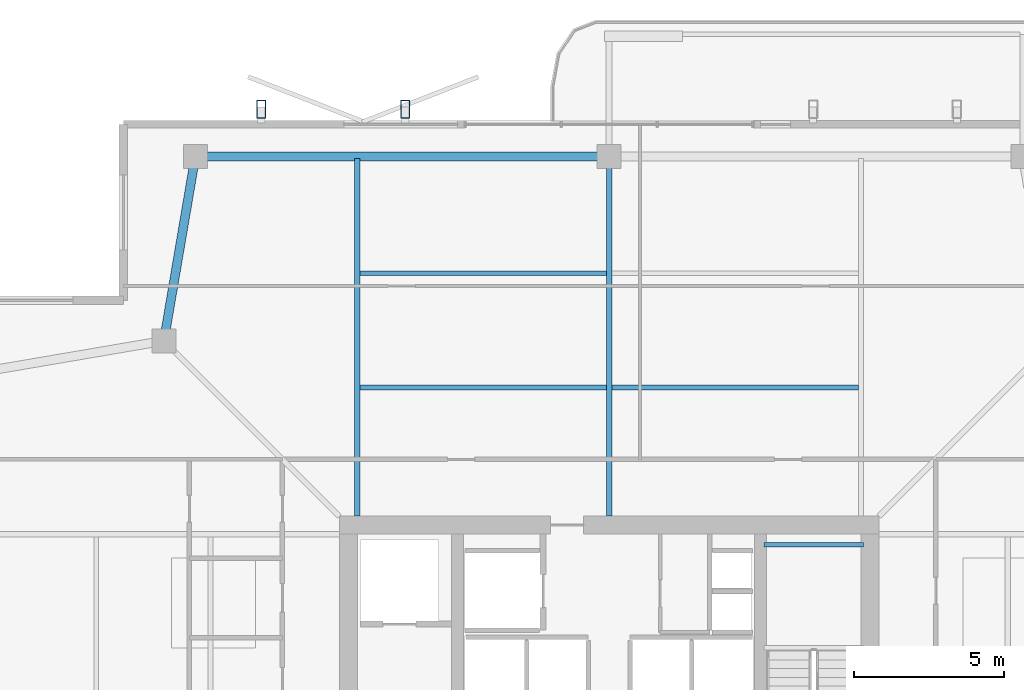
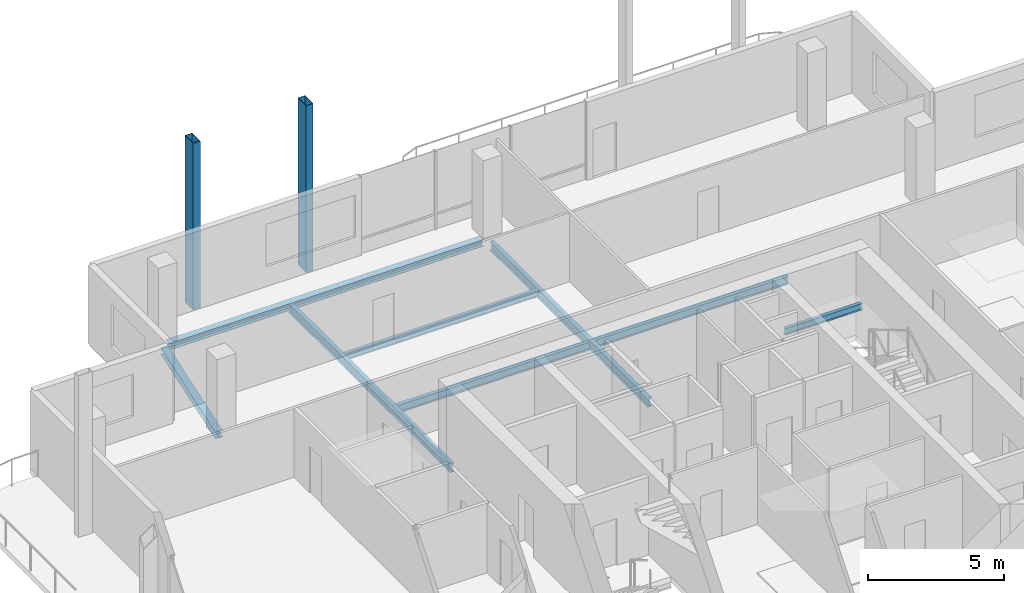
# One storey, part 12 of 22: 8 beams, 2 members.
"""IFC4 building model written with IfcOpenShell, lengths in metres."""

from ifc_helpers import new_model, si_unit, direction, frame, origin, origin_2d, place, context, subcontext, project, spatial, hollow_rectangle, i_section, extrude, material, material_profile, profile_set, type_object, element, save


model = new_model("IFC4")

# Units and contexts
model_context = context("Model", 3, precision=1e-05, world=origin(), true_north=direction((0.0, 1.0)))
body_context = subcontext(model_context, "Body", "Model", "MODEL_VIEW")
ifc_project = project(units=[si_unit("LENGTHUNIT", "METRE"), si_unit("AREAUNIT", "SQUARE_METRE"), si_unit("VOLUMEUNIT", "CUBIC_METRE"), si_unit("PLANEANGLEUNIT", "RADIAN"), si_unit("MASSUNIT", "GRAM", prefix="KILO")], contexts=[model_context])

# Site, building, storey
site_placement = place(None, origin())
site = spatial("IfcSite", under=ifc_project, at=site_placement, CompositionType="ELEMENT")
building_placement = place(site_placement, origin())
building = spatial("IfcBuilding", under=site, at=building_placement, Name="Belovzor Exchange Tower", CompositionType="ELEMENT")
storey_placement = place(building_placement, frame((0.0, 0.0, 336.75)))
storey = spatial("IfcBuildingStorey", under=building, at=storey_placement, Name="L84", CompositionType="ELEMENT", Elevation=336.75)

# Beams
ifc_material_1 = material(Name="Steel S355", Category="steel")
ifc_material_profile_1 = material_profile(ifc_material_1, i_section(OverallWidth=0.169921875, OverallDepth=0.360107421875, WebThickness=0.008056640625, FlangeThickness=0.0126953125, at=origin_2d()))
ifc_profile_set_1 = profile_set([ifc_material_profile_1], Name="Steel S355")
beam_type_1 = type_object("IfcBeamType", Name="Secondary Infill Floor Joist IPE 360", PredefinedType="BEAM", material=ifc_profile_set_1)
beam_1_placement = place(storey_placement, frame((20.489990234375, 42.093017578125, -0.419921875), z_axis=(1.0, 0.0, 0.0), x_axis=(0.0, 1.0, 0.0)))
element("IfcBeam", 1, at=beam_1_placement, inside=storey, type_object=beam_type_1, Name="FJ-360 Secondary Infill Floor Joist IPE 360", PredefinedType="BEAM", context=body_context, shape_type="SweptSolid", body=[
    extrude(i_section(OverallWidth=0.169921875, OverallDepth=0.360107421875, WebThickness=0.008056640625, FlangeThickness=0.0126953125, at=origin_2d()), origin(), (0.0, 0.0, 1.0), 8.219970703125),
])
beam_2_placement = place(storey_placement, frame((28.889892578125, 42.093017578125, -0.419921875), z_axis=(1.0, 0.0, 0.0), x_axis=(0.0, 1.0, 0.0)))
element("IfcBeam", 2, at=beam_2_placement, inside=storey, type_object=beam_type_1, Name="FJ-360 Secondary Infill Floor Joist IPE 360", PredefinedType="BEAM", context=body_context, shape_type="SweptSolid", body=[
    extrude(i_section(OverallWidth=0.169921875, OverallDepth=0.360107421875, WebThickness=0.008056640625, FlangeThickness=0.0126953125, at=origin_2d()), origin(), (0.0, 0.0, 1.0), 8.22021484375),
])
ifc_material_2 = material(Name="Steel S355", Category="steel")
ifc_material_profile_2 = material_profile(ifc_material_2, i_section(OverallWidth=0.14990234375, OverallDepth=0.300048828125, WebThickness=0.007080078125, FlangeThickness=0.0107421875, at=origin_2d()))
ifc_profile_set_2 = profile_set([ifc_material_profile_2], Name="Steel S355")
beam_type_2 = type_object("IfcBeamType", Name="Secondary Trim Floor Joist IPE 300", PredefinedType="BEAM", material=ifc_profile_set_2)
beam_3_placement = place(storey_placement, frame((37.280029296875, 36.85009765625, 1.52490234375), z_axis=(-1.0, 0.0, 0.0), x_axis=(0.0, -1.0, 0.0)))
element("IfcBeam", 3, at=beam_3_placement, inside=storey, type_object=beam_type_2, Name="FJ-300 Secondary Trim Floor Joist IPE 300", PredefinedType="BEAM", context=body_context, shape_type="SweptSolid", body=[
    extrude(i_section(OverallWidth=0.14990234375, OverallDepth=0.300048828125, WebThickness=0.007080078125, FlangeThickness=0.0107421875, at=origin_2d()), origin(), (0.0, 0.0, 1.0), 3.31005859375),
])
beam_4_placement = place(storey_placement, frame((20.489990234375, 45.908935546875, -0.389892578125), z_axis=(1.0, 0.0, 0.0), x_axis=(0.0, 1.0, 0.0)))
element("IfcBeam", 4, at=beam_4_placement, inside=storey, type_object=beam_type_2, Name="FJ-300 Secondary Trim Floor Joist IPE 300", PredefinedType="BEAM", context=body_context, shape_type="SweptSolid", body=[
    extrude(i_section(OverallWidth=0.14990234375, OverallDepth=0.300048828125, WebThickness=0.007080078125, FlangeThickness=0.0107421875, at=origin_2d()), origin(), (0.0, 0.0, 1.0), 8.219970703125),
])

# Members
ifc_material_3 = material(Name="Extruded Architectural Terracotta on Steel S355 Carrier", Category="masonry")
ifc_material_profile_3 = material_profile(ifc_material_3, hollow_rectangle(XDim=0.300048828125, YDim=0.60009765625, WallThickness=0.01611328125, at=origin_2d()))
ifc_profile_set_3 = profile_set([ifc_material_profile_3], Name="Extruded Architectural Terracotta on Steel S355 Carrier")
member_type = type_object("IfcMemberType", Name="Upper Crown Terracotta Fin Assembly 550", PredefinedType="USERDEFINED", material=ifc_profile_set_3)
for number, where, z_axis, x_axis, name in (
    (5, (17.199951171875, 51.375, -0.239990234375), (0.0, 0.0, 1.0), (1.0, 0.0, 0.0), "FIN-TC055 Terracotta Facade Fin L84 N1"),
    (6, (22.0, 51.375, -0.239990234375), (0.0, 0.0, 1.0), (1.0, 0.0, 0.0), "FIN-TC055 Terracotta Facade Fin L84 N2"),
):
    element("IfcMember", number, at=place(storey_placement, frame(where, z_axis=z_axis, x_axis=x_axis)), inside=storey, type_object=member_type, Name=name, ObjectType="FIN", PredefinedType="USERDEFINED", context=body_context, shape_type="SweptSolid", body=[
        extrude(hollow_rectangle(XDim=0.300048828125, YDim=0.60009765625, WallThickness=0.01611328125, at=origin_2d()), origin(), (0.0, 0.0, 1.0), 7.5),
    ])

# Beams
ifc_material_4 = material(Name="Steel S355", Category="steel")
ifc_material_profile_4 = material_profile(ifc_material_4, i_section(OverallWidth=0.179931640625, OverallDepth=0.39990234375, WebThickness=0.008544921875, FlangeThickness=0.013427734375, at=origin_2d()))
ifc_profile_set_4 = profile_set([ifc_material_profile_4], Name="Steel S355")
beam_type_3 = type_object("IfcBeamType", Name="Zone 5-6 Radial Composite Floor Beam IPE 400", PredefinedType="BEAM", material=ifc_profile_set_4)
beam_5_placement = place(storey_placement, frame((20.39990234375, 37.800048828125, -0.43994140625), z_axis=(0.0, 1.0, 0.0), x_axis=(-1.0, 0.0, 0.0)))
element("IfcBeam", 7, at=beam_5_placement, inside=storey, type_object=beam_type_3, Name="FB-400 Zone 5-6 Radial Composite Floor Beam IPE 400", PredefinedType="BEAM", context=body_context, shape_type="SweptSolid", body=[
    extrude(i_section(OverallWidth=0.179931640625, OverallDepth=0.39990234375, WebThickness=0.008544921875, FlangeThickness=0.013427734375, at=origin_2d()), origin(), (0.0, 0.0, 1.0), 11.925048828125),
])
beam_6_placement = place(storey_placement, frame((28.800048828125, 37.800048828125, -0.43994140625), z_axis=(0.0, 1.0, 0.0), x_axis=(-1.0, 0.0, 0.0)))
element("IfcBeam", 8, at=beam_6_placement, inside=storey, type_object=beam_type_3, Name="FB-400 Zone 5-6 Radial Composite Floor Beam IPE 400", PredefinedType="BEAM", context=body_context, shape_type="SweptSolid", body=[
    extrude(i_section(OverallWidth=0.179931640625, OverallDepth=0.39990234375, WebThickness=0.008544921875, FlangeThickness=0.013427734375, at=origin_2d()), origin(), (0.0, 0.0, 1.0), 11.64794921875),
])
ifc_material_5 = material(Name="Steel S355", Category="steel")
ifc_material_profile_5 = material_profile(ifc_material_5, i_section(OverallWidth=0.300048828125, OverallDepth=0.300048828125, WebThickness=0.008544921875, FlangeThickness=0.013916015625, at=origin_2d()))
ifc_profile_set_5 = profile_set([ifc_material_profile_5], Name="Steel S355")
beam_type_4 = type_object("IfcBeamType", Name="Zone 6 Primary Girder HEA 300", PredefinedType="BEAM", material=ifc_profile_set_5)
beam_7_placement = place(storey_placement, frame((28.580078125, 49.800048828125, -0.389892578125), z_axis=(-1.0, 0.0, 0.0), x_axis=(0.0, -1.0, 0.0)))
element("IfcBeam", 9, at=beam_7_placement, inside=storey, type_object=beam_type_4, Name="FG-Z6 Zone 6 Primary Girder HEA 300", PredefinedType="BEAM", context=body_context, shape_type="SweptSolid", body=[
    extrude(i_section(OverallWidth=0.300048828125, OverallDepth=0.300048828125, WebThickness=0.008544921875, FlangeThickness=0.013916015625, at=origin_2d()), origin(), (0.0, 0.0, 1.0), 13.360107421875),
])
beam_8_placement = place(storey_placement, frame((14.962890625, 49.5830078125, -0.389892578125), z_axis=(-0.168282493706, -0.985738810392, 0.0), x_axis=(0.985738810392, -0.168282493706, 0.0)))
element("IfcBeam", 10, at=beam_8_placement, inside=storey, type_object=beam_type_4, Name="FG-Z6 Zone 6 Primary Girder HEA 300", PredefinedType="BEAM", context=body_context, shape_type="SweptSolid", body=[
    extrude(i_section(OverallWidth=0.300048828125, OverallDepth=0.300048828125, WebThickness=0.008544921875, FlangeThickness=0.013916015625, at=origin_2d()), origin(), (0.0, 0.0, 1.0), 5.798828125),
])

save(model, "model.ifc")
